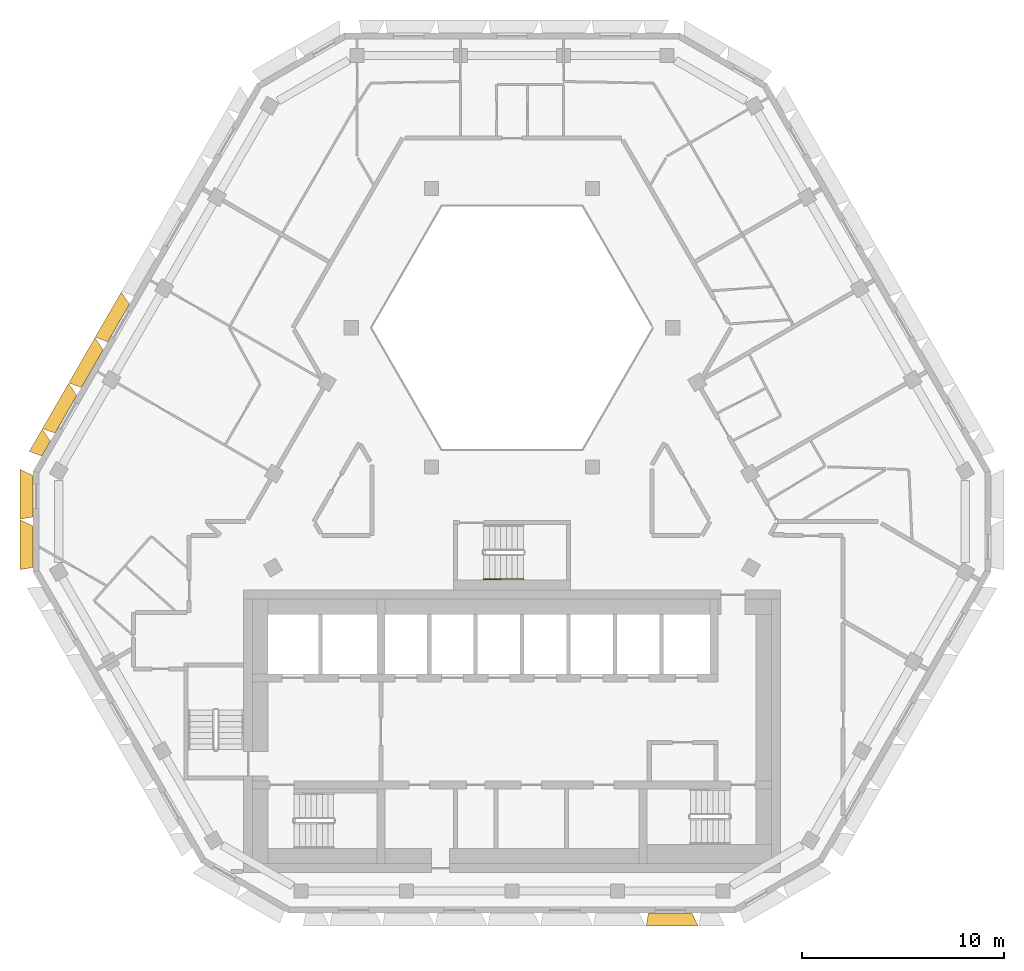
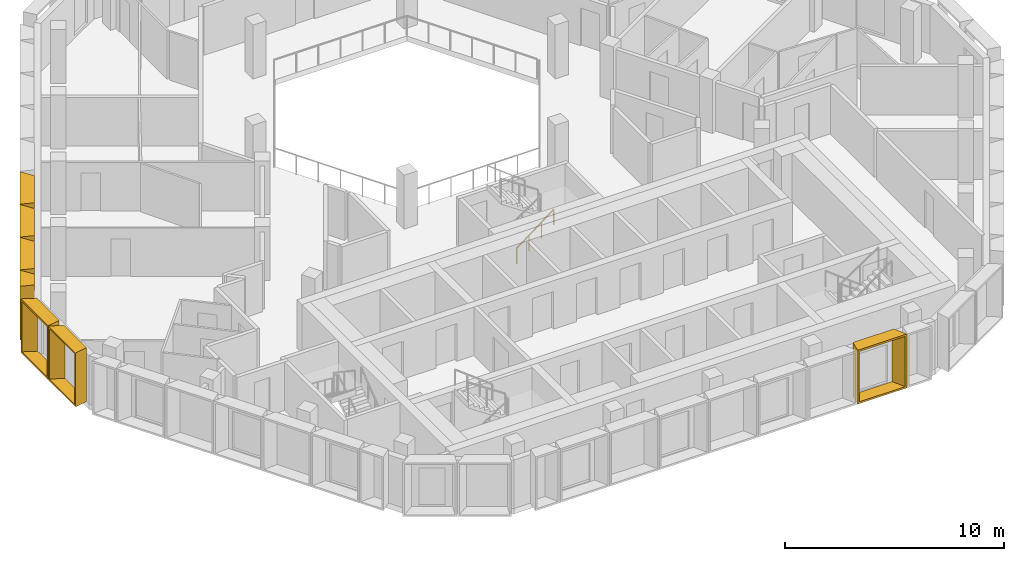
# One storey, part 11 of 14: 7 shading devices, 1 railing.
"""IFC4 building model written with IfcOpenShell, lengths in metres."""

from ifc_helpers import new_model, entity, si_unit, direction, frame, origin, origin_2d, place, context, subcontext, project, spatial, rectangle, extrude, source, transform, mapped, material, type_object, type_shapes, element, save


model = new_model("IFC4")

# Units and contexts
model_context = context("Model", 3, precision=1e-05, world=origin(), true_north=direction((0.0, 1.0)))
body_context = subcontext(model_context, "Body", "Model", "MODEL_VIEW")
ifc_project = project(units=[si_unit("LENGTHUNIT", "METRE"), si_unit("AREAUNIT", "SQUARE_METRE"), si_unit("VOLUMEUNIT", "CUBIC_METRE"), si_unit("PLANEANGLEUNIT", "RADIAN"), si_unit("MASSUNIT", "GRAM", prefix="KILO")], contexts=[model_context])

# Site, building, storey
site_placement = place(None, origin())
site = spatial("IfcSite", under=ifc_project, at=site_placement, CompositionType="ELEMENT")
building_placement = place(site_placement, origin())
building = spatial("IfcBuilding", under=site, at=building_placement, Name="Beryl Residences", CompositionType="ELEMENT")
storey_placement = place(building_placement, frame((0.0, 0.0, 223.800048828125)))
storey = spatial("IfcBuildingStorey", under=building, at=storey_placement, Name="L69", CompositionType="ELEMENT", Elevation=223.800048828125)

# Shading devices
ifc_material_1 = material(Name="Aluminium pale anodised", Category="aluminium")
shading_device_type_1 = type_object("IfcShadingDeviceType", Name="FR131-65B OUTER SKIN frame 650 mm deep, splay 26/10 deg, 1310 x 3000 mm cell", PredefinedType="USERDEFINED", material=ifc_material_1)
cartesian_point_1 = entity("IfcCartesianPoint", [-0.428955078125, 0.0])
cartesian_point_2 = entity("IfcCartesianPoint", [-0.340087890625, 0.10009765625])
cartesian_point_3 = entity("IfcCartesianPoint", [-0.74609375, 0.0])
cartesian_point_4 = entity("IfcCartesianPoint", [-0.656982421875, 0.10009765625])
shared_shape_1 = source(origin(), body_context, "Body", "SweptSolid", [
    entity("IfcExtrudedAreaSolidTapered", entity("IfcArbitraryProfileDefWithVoids", "AREA", None, entity("IfcPolyline", [cartesian_point_1, entity("IfcCartesianPoint", [0.428955078125, 0.0]), entity("IfcCartesianPoint", [0.428955078125, 3.0]), entity("IfcCartesianPoint", [-0.428955078125, 3.0]), cartesian_point_1]), [entity("IfcPolyline", [cartesian_point_2, entity("IfcCartesianPoint", [0.34765625, 0.10009765625]), entity("IfcCartesianPoint", [0.34765625, 2.89990234375]), entity("IfcCartesianPoint", [-0.340087890625, 2.89990234375]), cartesian_point_2])]), entity("IfcAxis2Placement3D", entity("IfcCartesianPoint", [0.0, 0.0, 0.0]), entity("IfcDirection", [0.0, 1.0, 0.0]), entity("IfcDirection", [-1.0, 0.0, 0.0])), entity("IfcDirection", [0.0, 0.0, 1.0]), 0.64990234375, entity("IfcArbitraryProfileDefWithVoids", "AREA", None, entity("IfcPolyline", [cartesian_point_3, entity("IfcCartesianPoint", [0.543701171875, 0.0]), entity("IfcCartesianPoint", [0.543701171875, 3.0]), entity("IfcCartesianPoint", [-0.74609375, 3.0]), cartesian_point_3]), [entity("IfcPolyline", [cartesian_point_4, entity("IfcCartesianPoint", [0.46240234375, 0.10009765625]), entity("IfcCartesianPoint", [0.46240234375, 2.89990234375]), entity("IfcCartesianPoint", [-0.656982421875, 2.89990234375]), cartesian_point_4])])),
])
type_shapes(shading_device_type_1, [shared_shape_1])
shading_device_1_placement = place(storey_placement, frame((-23.083984375, 2.01611328125, 0.0), z_axis=(0.0, 0.0, 1.0), x_axis=(0.5, 0.866025403784, 0.0)))
element("IfcShadingDevice", 1, at=shading_device_1_placement, inside=storey, type_object=shading_device_type_1, Name="FR131-65B frame L69 NW 9", ObjectType="OUTER SKIN", PredefinedType="USERDEFINED", context=body_context, shape_type="MappedRepresentation", body=[
    mapped(shared_shape_1, transform((0.0, 0.0, 0.0))),
])
ifc_material_2 = material(Name="Aluminium pale anodised", Category="aluminium")
shading_device_type_2 = type_object("IfcShadingDeviceType", Name="FR250-65B OUTER SKIN frame 650 mm deep, splay 26/10 deg, 2500 x 3000 mm cell", PredefinedType="USERDEFINED", material=ifc_material_2)
cartesian_point_5 = entity("IfcCartesianPoint", [-1.02392578125, 0.0])
cartesian_point_6 = entity("IfcCartesianPoint", [-0.93505859375, 0.10009765625])
cartesian_point_7 = entity("IfcCartesianPoint", [-1.341064453125, 0.0])
cartesian_point_8 = entity("IfcCartesianPoint", [-1.251953125, 0.10009765625])
shared_shape_2 = source(origin(), body_context, "Body", "SweptSolid", [
    entity("IfcExtrudedAreaSolidTapered", entity("IfcArbitraryProfileDefWithVoids", "AREA", None, entity("IfcPolyline", [cartesian_point_5, entity("IfcCartesianPoint", [1.02392578125, 0.0]), entity("IfcCartesianPoint", [1.02392578125, 3.0]), entity("IfcCartesianPoint", [-1.02392578125, 3.0]), cartesian_point_5]), [entity("IfcPolyline", [cartesian_point_6, entity("IfcCartesianPoint", [0.94287109375, 0.10009765625]), entity("IfcCartesianPoint", [0.94287109375, 2.89990234375]), entity("IfcCartesianPoint", [-0.93505859375, 2.89990234375]), cartesian_point_6])]), entity("IfcAxis2Placement3D", entity("IfcCartesianPoint", [0.0, 0.0, 0.0]), entity("IfcDirection", [0.0, 1.0, 0.0]), entity("IfcDirection", [-1.0, 0.0, 0.0])), entity("IfcDirection", [0.0, 0.0, 1.0]), 0.64990234375, entity("IfcArbitraryProfileDefWithVoids", "AREA", None, entity("IfcPolyline", [cartesian_point_7, entity("IfcCartesianPoint", [1.138671875, 0.0]), entity("IfcCartesianPoint", [1.138671875, 3.0]), entity("IfcCartesianPoint", [-1.341064453125, 3.0]), cartesian_point_7]), [entity("IfcPolyline", [cartesian_point_8, entity("IfcCartesianPoint", [1.057373046875, 0.10009765625]), entity("IfcCartesianPoint", [1.057373046875, 2.89990234375]), entity("IfcCartesianPoint", [-1.251953125, 2.89990234375]), cartesian_point_8])])),
])
type_shapes(shading_device_type_2, [shared_shape_2])
for number, where, z_axis, x_axis, name in (
    (2, (-23.72900390625, -0.35009765625, 0.0), (0.0, 0.0, 1.0), (0.0, 1.0, 0.0), "FR250-65B frame L69 NW-SW 1"),
    (3, (-23.72900390625, -2.85009765625, 0.0), (0.0, 0.0, 1.0), (0.0, 1.0, 0.0), "FR250-65B frame L69 NW-SW 2"),
):
    element("IfcShadingDevice", number, at=place(storey_placement, frame(where, z_axis=z_axis, x_axis=x_axis)), inside=storey, type_object=shading_device_type_2, Name=name, ObjectType="OUTER SKIN", PredefinedType="USERDEFINED", context=body_context, shape_type="MappedRepresentation", body=[
        mapped(shared_shape_2, transform((0.0, 0.0, 0.0))),
    ])
ifc_material_3 = material(Name="Aluminium pale anodised", Category="aluminium")
shading_device_type_3 = type_object("IfcShadingDeviceType", Name="FR261-65B OUTER SKIN frame 650 mm deep, splay 26/10 deg, 2610 x 3000 mm cell", PredefinedType="USERDEFINED", material=ifc_material_3)
cartesian_point_9 = entity("IfcCartesianPoint", [-1.0791015625, 0.0])
cartesian_point_10 = entity("IfcCartesianPoint", [-0.989990234375, 0.10009765625])
cartesian_point_11 = entity("IfcCartesianPoint", [-1.39599609375, 0.0])
cartesian_point_12 = entity("IfcCartesianPoint", [-1.30712890625, 0.10009765625])
shared_shape_3 = source(origin(), body_context, "Body", "SweptSolid", [
    entity("IfcExtrudedAreaSolidTapered", entity("IfcArbitraryProfileDefWithVoids", "AREA", None, entity("IfcPolyline", [cartesian_point_9, entity("IfcCartesianPoint", [1.0791015625, 0.0]), entity("IfcCartesianPoint", [1.0791015625, 3.0]), entity("IfcCartesianPoint", [-1.0791015625, 3.0]), cartesian_point_9]), [entity("IfcPolyline", [cartesian_point_10, entity("IfcCartesianPoint", [0.997802734375, 0.10009765625]), entity("IfcCartesianPoint", [0.997802734375, 2.89990234375]), entity("IfcCartesianPoint", [-0.989990234375, 2.89990234375]), cartesian_point_10])]), entity("IfcAxis2Placement3D", entity("IfcCartesianPoint", [0.0, 0.0, 0.0]), entity("IfcDirection", [0.0, 1.0, 0.0]), entity("IfcDirection", [-1.0, 0.0, 0.0])), entity("IfcDirection", [0.0, 0.0, 1.0]), 0.64990234375, entity("IfcArbitraryProfileDefWithVoids", "AREA", None, entity("IfcPolyline", [cartesian_point_11, entity("IfcCartesianPoint", [1.193603515625, 0.0]), entity("IfcCartesianPoint", [1.193603515625, 3.0]), entity("IfcCartesianPoint", [-1.39599609375, 3.0]), cartesian_point_11]), [entity("IfcPolyline", [cartesian_point_12, entity("IfcCartesianPoint", [1.1123046875, 0.10009765625]), entity("IfcCartesianPoint", [1.1123046875, 2.89990234375]), entity("IfcCartesianPoint", [-1.30712890625, 2.89990234375]), cartesian_point_12])])),
])
type_shapes(shading_device_type_3, [shared_shape_3])
for number, where, z_axis, x_axis, name in (
    (4, (-19.491943359375, 8.237060546875, 0.0), (0.0, 0.0, 1.0), (0.5, 0.866025403784, 0.0), "FR261-65B frame L69 NW 6"),
    (5, (-20.798095703125, 5.97509765625, 0.0), (0.0, 0.0, 1.0), (0.5, 0.866025403784, 0.0), "FR261-65B frame L69 NW 7"),
    (6, (-22.10498046875, 3.7119140625, 0.0), (0.0, 0.0, 1.0), (0.5, 0.866025403784, 0.0), "FR261-65B frame L69 NW 8"),
):
    element("IfcShadingDevice", number, at=place(storey_placement, frame(where, z_axis=z_axis, x_axis=x_axis)), inside=storey, type_object=shading_device_type_3, Name=name, ObjectType="OUTER SKIN", PredefinedType="USERDEFINED", context=body_context, shape_type="MappedRepresentation", body=[
        mapped(shared_shape_3, transform((0.0, 0.0, 0.0))),
    ])
ifc_material_4 = material(Name="Aluminium pale anodised", Category="aluminium")
shading_device_type_4 = type_object("IfcShadingDeviceType", Name="FR261-65C OUTER SKIN frame 650 mm deep, splay 10/26 deg, 2610 x 3000 mm cell", PredefinedType="USERDEFINED", material=ifc_material_4)
cartesian_point_13 = entity("IfcCartesianPoint", [-1.0791015625, 0.0])
cartesian_point_14 = entity("IfcCartesianPoint", [-0.997802734375, 0.10009765625])
cartesian_point_15 = entity("IfcCartesianPoint", [-1.193603515625, 0.0])
cartesian_point_16 = entity("IfcCartesianPoint", [-1.1123046875, 0.10009765625])
shared_shape_4 = source(origin(), body_context, "Body", "SweptSolid", [
    entity("IfcExtrudedAreaSolidTapered", entity("IfcArbitraryProfileDefWithVoids", "AREA", None, entity("IfcPolyline", [cartesian_point_13, entity("IfcCartesianPoint", [1.0791015625, 0.0]), entity("IfcCartesianPoint", [1.0791015625, 3.0]), entity("IfcCartesianPoint", [-1.0791015625, 3.0]), cartesian_point_13]), [entity("IfcPolyline", [cartesian_point_14, entity("IfcCartesianPoint", [0.989990234375, 0.10009765625]), entity("IfcCartesianPoint", [0.989990234375, 2.89990234375]), entity("IfcCartesianPoint", [-0.997802734375, 2.89990234375]), cartesian_point_14])]), entity("IfcAxis2Placement3D", entity("IfcCartesianPoint", [0.0, 0.0, 0.0]), entity("IfcDirection", [0.0, 1.0, 0.0]), entity("IfcDirection", [-1.0, 0.0, 0.0])), entity("IfcDirection", [0.0, 0.0, 1.0]), 0.64990234375, entity("IfcArbitraryProfileDefWithVoids", "AREA", None, entity("IfcPolyline", [cartesian_point_15, entity("IfcCartesianPoint", [1.39599609375, 0.0]), entity("IfcCartesianPoint", [1.39599609375, 3.0]), entity("IfcCartesianPoint", [-1.193603515625, 3.0]), cartesian_point_15]), [entity("IfcPolyline", [cartesian_point_16, entity("IfcCartesianPoint", [1.30712890625, 0.10009765625]), entity("IfcCartesianPoint", [1.30712890625, 2.89990234375]), entity("IfcCartesianPoint", [-1.1123046875, 2.89990234375]), cartesian_point_16])])),
])
type_shapes(shading_device_type_4, [shared_shape_4])
shading_device_2_placement = place(storey_placement, frame((7.8369140625, -21.0, 0.0), z_axis=(0.0, 0.0, 1.0), x_axis=(-1.0, 0.0, 0.0)))
element("IfcShadingDevice", 7, at=shading_device_2_placement, inside=storey, type_object=shading_device_type_4, Name="FR261-65C frame L69 S 8", ObjectType="OUTER SKIN", PredefinedType="USERDEFINED", context=body_context, shape_type="MappedRepresentation", body=[
    mapped(shared_shape_4, transform((0.0, 0.0, 0.0))),
])

# Railing
ifc_material_5 = material(Name="Stainless steel handrail", Category="steel")
railing_type = type_object("IfcRailingType", Name="SRL1 stair handrail 900 mm", PredefinedType="HANDRAIL", material=ifc_material_5)
railing_placement = place(storey_placement, frame((-1.39990234375, -4.449951171875, 0.1875)))
element("IfcRailing", 8, at=railing_placement, inside=storey, type_object=railing_type, Name="L69 ST-4 stair handrail 1", PredefinedType="HANDRAIL", context=body_context, shape_type="SweptSolid", body=[
    extrude(rectangle(XDim=0.048095703125, YDim=0.048095703125, at=origin_2d()), frame((0.0, 0.0, 0.8759765625), z_axis=(0.794121922505, 0.0, 0.607758481798), x_axis=(0.0, 1.0, 0.0)), (0.0, 0.0, 1.0), 2.468017578125),
    extrude(rectangle(XDim=0.0419921875, YDim=0.0419921875, at=origin_2d()), origin(), (0.0, 0.0, 1.0), 0.851806640625),
    extrude(rectangle(XDim=0.0419921875, YDim=0.0419921875, at=origin_2d()), frame((0.6533203125, 0.0, 0.5)), (0.0, 0.0, 1.0), 0.851806640625),
    extrude(rectangle(XDim=0.0419921875, YDim=0.0419921875, at=origin_2d()), frame((1.306640625, 0.0, 1.0)), (0.0, 0.0, 1.0), 0.851806640625),
    extrude(rectangle(XDim=0.0419921875, YDim=0.0419921875, at=origin_2d()), frame((1.9599609375, 0.0, 1.5)), (0.0, 0.0, 1.0), 0.851806640625),
])

save(model, "model.ifc")
